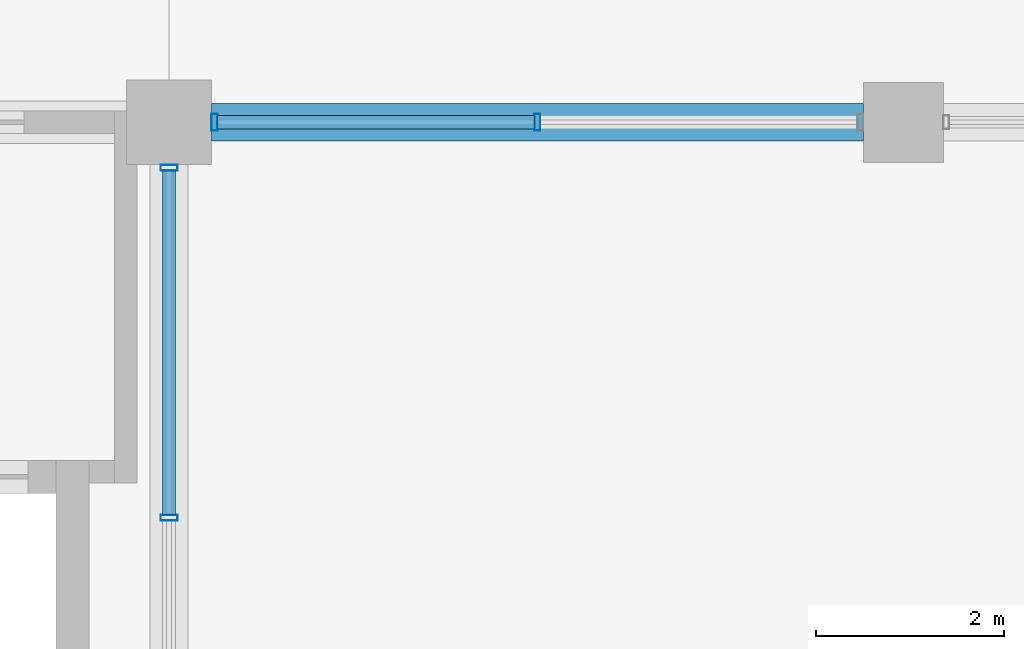
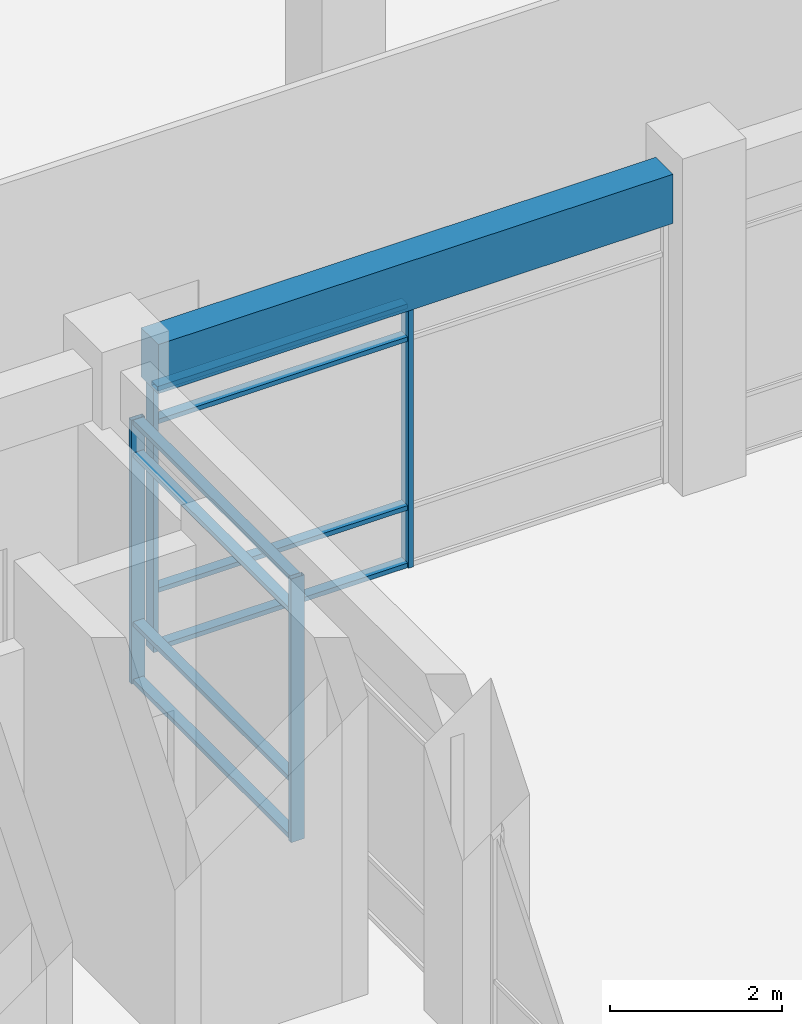
# One storey, part 9 of 74: 12 members, 1 beam, 2 elements without a shape of their own.
"""IFC4 building model written with IfcOpenShell, lengths in metres."""

import ifcopenshell
import ifcopenshell.guid

model = None  # the IFC model being written
_history = None  # IfcOwnerHistory: only IFC2X3 demands one
_inside = {}  # id of a spatial element -> (the spatial element, [elements in it])
_under = {}  # id of a project, library or spatial element -> (it, [spatial elements below it])
_declared = {}  # id of a project -> (the project, [libraries it declares])
_typed = {}  # id of a type object -> (the type object, [elements of that type])
_made_of = {}  # id of a material, layer set ... -> (it, [elements and type objects made of it])


def new_model(schema):
    """Start an empty IFC model of exactly this schema.

    Asked for "IFC4X3", IfcOpenShell would pick the latest addendum, in which some entities
    have other attributes; the version numbers below select the first issue.
    IFC2X3 requires an IfcOwnerHistory on every rooted entity: one is made here for all.
    """
    global model, _history
    if schema == "IFC4X3":
        model = ifcopenshell.file(schema_version=(4, 3, 0, 0))
    else:
        model = ifcopenshell.file(schema=schema)
    _inside.clear()
    _under.clear()
    _declared.clear()
    _typed.clear()
    _made_of.clear()
    _history = None
    if model.schema == "IFC2X3":
        org = make("IfcOrganization", Name="unknown")
        user = make(
            "IfcPersonAndOrganization",
            ThePerson=make("IfcPerson", FamilyName="unknown"),
            TheOrganization=org,
        )
        app = make(
            "IfcApplication",
            ApplicationDeveloper=org,
            Version="unknown",
            ApplicationFullName="unknown",
            ApplicationIdentifier="unknown",
        )
        _history = make(
            "IfcOwnerHistory",
            OwningUser=user,
            OwningApplication=app,
            ChangeAction="ADDED",
            CreationDate=0,
        )
    return model


def make(cls, **values):
    """One entity of the class cls with the attributes given. An attribute that is None is left unset."""
    return model.create_entity(
        cls, **{name: value for name, value in values.items() if value is not None}
    )


def rooted(cls, **values):
    """An entity with a GlobalId (a new one), such as an element, a storey or a relation."""
    return make(cls, GlobalId=ifcopenshell.guid.new(), OwnerHistory=_history, **values)


def si_unit(unit_type, name, prefix=None):
    """IfcSIUnit, for example si_unit("LENGTHUNIT", "METRE", prefix="MILLI")."""
    return make("IfcSIUnit", UnitType=unit_type, Prefix=prefix, Name=name)


def assignment(units):
    """IfcUnitAssignment: the units of a project."""
    return None if units is None else make("IfcUnitAssignment", Units=units)


def point(xyz):
    """IfcCartesianPoint."""
    return None if xyz is None else make("IfcCartesianPoint", Coordinates=xyz)


def direction(xyz):
    """IfcDirection."""
    return None if xyz is None else make("IfcDirection", DirectionRatios=xyz)


def frame(location, z_axis=None, x_axis=None):
    """IfcAxis2Placement3D, a coordinate frame: its origin and axes. An axis left out is left unset."""
    return make(
        "IfcAxis2Placement3D",
        Location=point(location),
        Axis=direction(z_axis),
        RefDirection=direction(x_axis),
    )


def frame_2d(location, x_axis=None):
    """IfcAxis2Placement2D, a coordinate frame in the plane: its origin and x axis."""
    return make(
        "IfcAxis2Placement2D", Location=point(location), RefDirection=direction(x_axis)
    )


def origin():
    """The frame at (0, 0, 0) with its axes left unset."""
    return frame((0.0, 0.0, 0.0))


def origin_2d():
    """The frame at (0, 0) in the plane with its x axis left unset."""
    return frame_2d((0.0, 0.0))


def place(relative_to, where):
    """IfcLocalPlacement: puts the frame where relative to a parent placement (None: the world)."""
    return make(
        "IfcLocalPlacement", PlacementRelTo=relative_to, RelativePlacement=where
    )


def context(
    kind, dimensions, precision=None, world=None, true_north=None, identifier=None
):
    """IfcGeometricRepresentationContext, for example the 3D "Model" context."""
    return make(
        "IfcGeometricRepresentationContext",
        ContextIdentifier=identifier,
        ContextType=kind,
        CoordinateSpaceDimension=dimensions,
        Precision=precision,
        WorldCoordinateSystem=world,
        TrueNorth=true_north,
    )


def subcontext(parent, identifier, kind, view, scale=None):
    """IfcGeometricRepresentationSubContext, for example "Body" below "Model"."""
    return make(
        "IfcGeometricRepresentationSubContext",
        ContextIdentifier=identifier,
        ContextType=kind,
        ParentContext=parent,
        TargetScale=scale,
        TargetView=view,
    )


def project(units=None, contexts=None):
    """IfcProject with its units and contexts."""
    return rooted(
        "IfcProject",
        Name="project",
        RepresentationContexts=contexts,
        UnitsInContext=assignment(units),
    )


def spatial(cls, under=None, at=None, **own):
    """A site, building, storey or space (cls), placed at a placement, below another one or the project."""
    s = rooted(cls, ObjectPlacement=at, **own)
    if under is not None:
        _under.setdefault(under.id(), (under, []))[1].append(s)
    return s


def profile(cls, at=None, kind="AREA", **sizes):
    """A parametric profile (cls). Its sizes go by their IFC names, for example OverallWidth=200.0."""
    return make(cls, ProfileType=kind, Position=at, **sizes)


def rectangle(**sizes):
    """IfcRectangleProfileDef."""
    return profile("IfcRectangleProfileDef", **sizes)


def hollow_rectangle(**sizes):
    """IfcRectangleHollowProfileDef."""
    return profile("IfcRectangleHollowProfileDef", **sizes)


def extrude(swept, where, along, depth):
    """IfcExtrudedAreaSolid: the profile swept, set in the frame where, extruded along a direction by depth."""
    return make(
        "IfcExtrudedAreaSolid",
        SweptArea=swept,
        Position=where,
        ExtrudedDirection=direction(along),
        Depth=depth,
    )


def shape(context_of_items, identifier, shape_type, items):
    """IfcShapeRepresentation: the items that make up one representation, for example the "Body"."""
    return make(
        "IfcShapeRepresentation",
        ContextOfItems=context_of_items,
        RepresentationIdentifier=identifier,
        RepresentationType=shape_type,
        Items=items,
    )


def material(Name=None, Category=None):
    """IfcMaterial."""
    return make("IfcMaterial", Name=Name, Category=Category)


def material_profile(
    of_material, cross_section, Name=None, Category=None, Priority=None
):
    """IfcMaterialProfile: a cross section and its material."""
    return make(
        "IfcMaterialProfile",
        Name=Name,
        Material=of_material,
        Profile=cross_section,
        Priority=Priority,
        Category=Category,
    )


def profile_set(profiles, Name=None, composite=None):
    """IfcMaterialProfileSet."""
    return make(
        "IfcMaterialProfileSet",
        Name=Name,
        MaterialProfiles=profiles,
        CompositeProfile=composite,
    )


def made_of(thing, what):
    """Note that an element or type object is made of a material, layer set ...; save() writes the relation."""
    if what is not None:
        _made_of.setdefault(what.id(), (what, []))[1].append(thing)
    return thing


def type_object(cls, material=None, **own):
    """A type object (cls), such as IfcWallType, which elements share."""
    return made_of(rooted(cls, **own), material)


def element(
    cls,
    number,
    at=None,
    inside=None,
    cuts=None,
    type_object=None,
    material=None,
    context=None,
    identifier="Body",
    shape_type=None,
    held_by="IfcProductDefinitionShape",
    body=None,
    shapes=None,
    **own,
):
    """One element of the class cls, such as IfcWall. Its Tag is "e" and its number.

    at: its placement. inside: the storey or other place that contains it. cuts: it is an
    opening in that element (IfcRelVoidsElement). A single representation is given by context,
    identifier, shape_type and body (its items); several are given by shapes. held_by: the class
    of the entity that holds the representations. save() writes the other relations.
    """
    e = rooted(cls, Tag="e%d" % number, ObjectPlacement=at, **own)
    if body is not None:
        shapes = [shape(context, identifier, shape_type, body)]
    if shapes is not None:
        e.Representation = make(held_by, Representations=shapes)
    if inside is not None:
        _inside.setdefault(inside.id(), (inside, []))[1].append(e)
    if cuts is not None:
        rooted(
            "IfcRelVoidsElement", RelatingBuildingElement=cuts, RelatedOpeningElement=e
        )
    if type_object is not None:
        _typed.setdefault(type_object.id(), (type_object, []))[1].append(e)
    return made_of(e, material)


def aggregate(whole, parts):
    """IfcRelAggregates: a whole, such as a stair, and the parts it consists of."""
    return rooted("IfcRelAggregates", RelatingObject=whole, RelatedObjects=parts)


def save(model, path):
    """Write the relations noted so far, then the file.

    IfcRelAggregates (storeys below a building ...), IfcRelContainedInSpatialStructure (elements
    in a storey), IfcRelDefinesByType, IfcRelAssociatesMaterial and IfcRelDeclares: one each for
    every whole, place, type object, material and project.
    """
    for whole, parts in _under.values():
        aggregate(whole, parts)
    for where, things in _inside.values():
        rooted(
            "IfcRelContainedInSpatialStructure",
            RelatedElements=things,
            RelatingStructure=where,
        )
    for kind, things in _typed.values():
        rooted("IfcRelDefinesByType", RelatedObjects=things, RelatingType=kind)
    for what, things in _made_of.values():
        rooted("IfcRelAssociatesMaterial", RelatedObjects=things, RelatingMaterial=what)
    for by, libraries in _declared.values():
        rooted("IfcRelDeclares", RelatingContext=by, RelatedDefinitions=libraries)
    model.write(path)


model = new_model("IFC4")

# Units and contexts
model_context = context("Model", 3, precision=1e-05, world=origin(), true_north=direction((0.0, 1.0)))
body_context = subcontext(model_context, "Body", "Model", "MODEL_VIEW")
ifc_project = project(units=[si_unit("LENGTHUNIT", "METRE"), si_unit("AREAUNIT", "SQUARE_METRE"), si_unit("VOLUMEUNIT", "CUBIC_METRE"), si_unit("PLANEANGLEUNIT", "RADIAN"), si_unit("MASSUNIT", "GRAM", prefix="KILO"), si_unit("THERMODYNAMICTEMPERATUREUNIT", "KELVIN"), si_unit("POWERUNIT", "WATT")], contexts=[model_context])

# Site, building, storey
site_placement = place(None, origin())
site = spatial("IfcSite", under=ifc_project, at=site_placement, CompositionType="ELEMENT")
building_placement = place(site_placement, origin())
building = spatial("IfcBuilding", under=site, at=building_placement, Name="Srebrne Nadtorze General Hospital", CompositionType="ELEMENT")
storey_placement = place(building_placement, origin())
storey = spatial("IfcBuildingStorey", under=building, at=storey_placement, Name="L00", CompositionType="ELEMENT", Elevation=0.0)

# Curtain wall, members
ifc_material_1 = material(Name="Anodised Aluminium", Category="aluminium")
curtain_wall_type_1 = type_object("IfcCurtainWallType", Name="Unitised curtain wall 6925x3750", PredefinedType="NOTDEFINED", material=ifc_material_1)
curtain_wall_1_placement = place(storey_placement, origin())
curtain_wall_1 = element("IfcCurtainWall", 1, at=curtain_wall_1_placement, inside=storey, type_object=curtain_wall_type_1, Name="Curtain wall CW-013", PredefinedType="NOTDEFINED")
ifc_material_2 = material(Name="Anodised Aluminium", Category="aluminium")
ifc_material_profile_1 = material_profile(ifc_material_2, hollow_rectangle(XDim=0.06494140625, YDim=0.179931640625, WallThickness=0.00390625, at=origin_2d()), Name="AL-MUL-65x180")
ifc_profile_set_1 = profile_set([ifc_material_profile_1], Name="Anodised Aluminium")
member_type_1 = type_object("IfcMemberType", Name="Curtain mullion 65x180", PredefinedType="MULLION", material=ifc_profile_set_1)
member_1_placement = place(storey_placement, frame((55.08251953125, 50.39990234375, 0.0), z_axis=(0.0, 0.0, 1.0), x_axis=(1.0, 0.0, 0.0)))
member_1 = element("IfcMember", 2, at=member_1_placement, type_object=member_type_1, Name="CW-013 mullion 1", PredefinedType="MULLION", context=body_context, shape_type="SweptSolid", body=[
    extrude(hollow_rectangle(XDim=0.06494140625, YDim=0.179931640625, WallThickness=0.00390625, at=origin_2d()), origin(), (0.0, 0.0, 1.0), 3.75),
])
member_2_placement = place(storey_placement, frame((58.512451171875, 50.39990234375, 0.0), z_axis=(0.0, 0.0, 1.0), x_axis=(1.0, 0.0, 0.0)))
member_2 = element("IfcMember", 3, at=member_2_placement, type_object=member_type_1, Name="CW-013 mullion 2", PredefinedType="MULLION", context=body_context, shape_type="SweptSolid", body=[
    extrude(hollow_rectangle(XDim=0.06494140625, YDim=0.179931640625, WallThickness=0.00390625, at=origin_2d()), origin(), (0.0, 0.0, 1.0), 3.75),
])

ifc_material_3 = material(Name="Anodised Aluminium", Category="aluminium")
curtain_wall_type_2 = type_object("IfcCurtainWallType", Name="Unitised curtain wall 7500x3750", PredefinedType="NOTDEFINED", material=ifc_material_3)
curtain_wall_2_placement = place(storey_placement, origin())
curtain_wall_2 = element("IfcCurtainWall", 4, at=curtain_wall_2_placement, inside=storey, type_object=curtain_wall_type_2, Name="Curtain wall CW-021", PredefinedType="NOTDEFINED")
member_3_placement = place(storey_placement, frame((54.60009765625, 46.199951171875, 0.0), z_axis=(0.0, 0.0, 1.0), x_axis=(0.0, 1.0, 0.0)))
member_3 = element("IfcMember", 5, at=member_3_placement, type_object=member_type_1, Name="CW-021 mullion 2", PredefinedType="MULLION", context=body_context, shape_type="SweptSolid", body=[
    extrude(hollow_rectangle(XDim=0.06494140625, YDim=0.179931640625, WallThickness=0.00390625, at=origin_2d()), origin(), (0.0, 0.0, 1.0), 3.75),
])
member_4_placement = place(storey_placement, frame((54.60009765625, 49.91748046875, 0.0), z_axis=(0.0, 0.0, 1.0), x_axis=(0.0, 1.0, 0.0)))
member_4 = element("IfcMember", 6, at=member_4_placement, type_object=member_type_1, Name="CW-021 mullion 3", PredefinedType="MULLION", context=body_context, shape_type="SweptSolid", body=[
    extrude(hollow_rectangle(XDim=0.06494140625, YDim=0.179931640625, WallThickness=0.00390625, at=origin_2d()), origin(), (0.0, 0.0, 1.0), 3.75),
])

# Member
ifc_material_4 = material(Name="Anodised Aluminium", Category="aluminium")
ifc_material_profile_2 = material_profile(ifc_material_4, hollow_rectangle(XDim=0.06494140625, YDim=0.139892578125, WallThickness=0.00390625, at=origin_2d()), Name="AL-TRN-65x140")
ifc_profile_set_2 = profile_set([ifc_material_profile_2], Name="Anodised Aluminium")
member_type_2 = type_object("IfcMemberType", Name="Curtain transom 65x140", PredefinedType="USERDEFINED", material=ifc_profile_set_2)
member_5_placement = place(storey_placement, frame((55.114990234375, 50.39990234375, 0.032470703125), z_axis=(1.0, 0.0, 0.0), x_axis=(0.0, 0.0, 1.0)))
member_5 = element("IfcMember", 7, at=member_5_placement, type_object=member_type_2, Name="CW-013 transom 1.1", ObjectType="TRANSOM", PredefinedType="USERDEFINED", context=body_context, shape_type="SweptSolid", body=[
    extrude(hollow_rectangle(XDim=0.06494140625, YDim=0.139892578125, WallThickness=0.00390625, at=origin_2d()), origin(), (0.0, 0.0, 1.0), 3.364990234375),
])

member_6_placement = place(storey_placement, frame((55.114990234375, 50.39990234375, 0.85009765625), z_axis=(1.0, 0.0, 0.0), x_axis=(0.0, 0.0, 1.0)))
member_6 = element("IfcMember", 8, at=member_6_placement, type_object=member_type_2, Name="CW-013 transom 1.2", ObjectType="TRANSOM", PredefinedType="USERDEFINED", context=body_context, shape_type="SweptSolid", body=[
    extrude(hollow_rectangle(XDim=0.06494140625, YDim=0.139892578125, WallThickness=0.00390625, at=origin_2d()), origin(), (0.0, 0.0, 1.0), 3.364990234375),
])

member_7_placement = place(storey_placement, frame((55.114990234375, 50.39990234375, 3.25), z_axis=(1.0, 0.0, 0.0), x_axis=(0.0, 0.0, 1.0)))
member_7 = element("IfcMember", 9, at=member_7_placement, type_object=member_type_2, Name="CW-013 transom 1.3", ObjectType="TRANSOM", PredefinedType="USERDEFINED", context=body_context, shape_type="SweptSolid", body=[
    extrude(hollow_rectangle(XDim=0.06494140625, YDim=0.139892578125, WallThickness=0.00390625, at=origin_2d()), origin(), (0.0, 0.0, 1.0), 3.364990234375),
])

member_8_placement = place(storey_placement, frame((55.114990234375, 50.39990234375, 3.717529296875), z_axis=(1.0, 0.0, 0.0), x_axis=(0.0, 0.0, 1.0)))
member_8 = element("IfcMember", 10, at=member_8_placement, type_object=member_type_2, Name="CW-013 transom 1.4", ObjectType="TRANSOM", PredefinedType="USERDEFINED", context=body_context, shape_type="SweptSolid", body=[
    extrude(hollow_rectangle(XDim=0.06494140625, YDim=0.139892578125, WallThickness=0.00390625, at=origin_2d()), origin(), (0.0, 0.0, 1.0), 3.364990234375),
])

aggregate(curtain_wall_1, [member_1, member_2, member_5, member_6, member_7, member_8])

member_9_placement = place(storey_placement, frame((54.60009765625, 46.232421875, 0.032470703125), z_axis=(0.0, 1.0, 0.0), x_axis=(0.0, 0.0, 1.0)))
member_9 = element("IfcMember", 11, at=member_9_placement, type_object=member_type_2, Name="CW-021 transom 2.1", ObjectType="TRANSOM", PredefinedType="USERDEFINED", context=body_context, shape_type="SweptSolid", body=[
    extrude(hollow_rectangle(XDim=0.06494140625, YDim=0.139892578125, WallThickness=0.00390625, at=origin_2d()), origin(), (0.0, 0.0, 1.0), 3.652587890625),
])

member_10_placement = place(storey_placement, frame((54.60009765625, 46.232421875, 0.85009765625), z_axis=(0.0, 1.0, 0.0), x_axis=(0.0, 0.0, 1.0)))
member_10 = element("IfcMember", 12, at=member_10_placement, type_object=member_type_2, Name="CW-021 transom 2.2", ObjectType="TRANSOM", PredefinedType="USERDEFINED", context=body_context, shape_type="SweptSolid", body=[
    extrude(hollow_rectangle(XDim=0.06494140625, YDim=0.139892578125, WallThickness=0.00390625, at=origin_2d()), origin(), (0.0, 0.0, 1.0), 3.652587890625),
])

member_11_placement = place(storey_placement, frame((54.60009765625, 46.232421875, 3.25), z_axis=(0.0, 1.0, 0.0), x_axis=(0.0, 0.0, 1.0)))
member_11 = element("IfcMember", 13, at=member_11_placement, type_object=member_type_2, Name="CW-021 transom 2.3", ObjectType="TRANSOM", PredefinedType="USERDEFINED", context=body_context, shape_type="SweptSolid", body=[
    extrude(hollow_rectangle(XDim=0.06494140625, YDim=0.139892578125, WallThickness=0.00390625, at=origin_2d()), origin(), (0.0, 0.0, 1.0), 3.652587890625),
])

member_12_placement = place(storey_placement, frame((54.60009765625, 46.232421875, 3.717529296875), z_axis=(0.0, 1.0, 0.0), x_axis=(0.0, 0.0, 1.0)))
member_12 = element("IfcMember", 14, at=member_12_placement, type_object=member_type_2, Name="CW-021 transom 2.4", ObjectType="TRANSOM", PredefinedType="USERDEFINED", context=body_context, shape_type="SweptSolid", body=[
    extrude(hollow_rectangle(XDim=0.06494140625, YDim=0.139892578125, WallThickness=0.00390625, at=origin_2d()), origin(), (0.0, 0.0, 1.0), 3.652587890625),
])

aggregate(curtain_wall_2, [member_3, member_4, member_9, member_10, member_11, member_12])

# Beam
ifc_material_5 = material(Name="Concrete C40/50", Category="concrete")
ifc_material_profile_3 = material_profile(ifc_material_5, rectangle(XDim=0.39990234375, YDim=0.699951171875, at=origin_2d()), Name="RC-BM-400x700")
ifc_profile_set_3 = profile_set([ifc_material_profile_3], Name="Concrete C40/50")
beam_type = type_object("IfcBeamType", Name="Edge beam RC 400x700", PredefinedType="BEAM", material=ifc_profile_set_3)
beam_placement = place(storey_placement, frame((55.050048828125, 50.39990234375, 4.10009765625), z_axis=(1.0, 0.0, 0.0), x_axis=(0.0, 1.0, 0.0)))
element("IfcBeam", 15, at=beam_placement, inside=storey, type_object=beam_type, Name="Beam BM-L00-X-0227", PredefinedType="BEAM", context=body_context, shape_type="SweptSolid", body=[
    extrude(rectangle(XDim=0.39990234375, YDim=0.699951171875, at=origin_2d()), origin(), (0.0, 0.0, 1.0), 6.925048828125),
])

save(model, "model.ifc")
